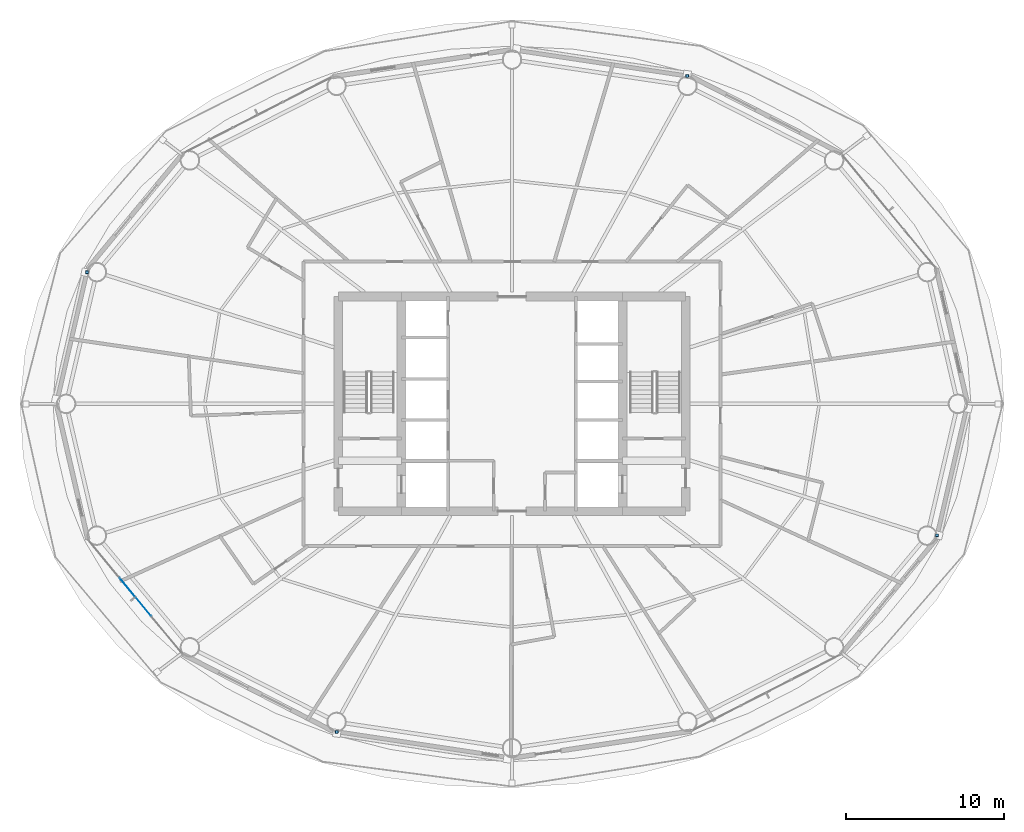
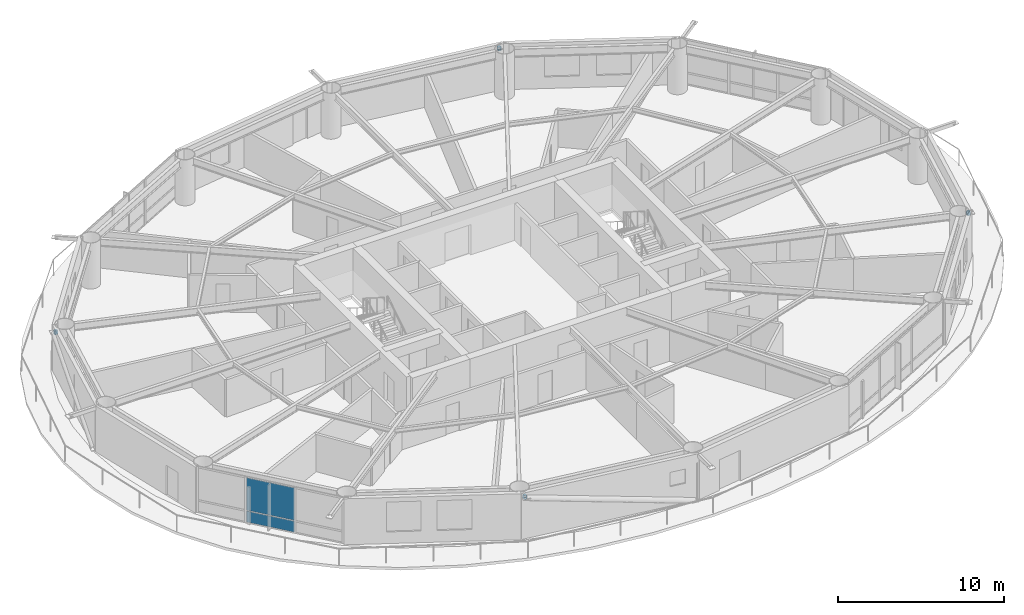
# One storey, part 13 of 24: 4 members, 2 plates, 1 element without a shape of its own.
"""IFC4 building model written with IfcOpenShell, lengths in metres."""

from ifc_helpers import new_model, si_unit, direction, frame, origin, origin_2d, place, context, subcontext, project, spatial, rectangle, hollow_rectangle, extrude, material, layer, layer_set, material_profile, profile_set, type_object, element, aggregate, save


model = new_model("IFC4")

# Units and contexts
model_context = context("Model", 3, precision=1e-05, world=origin(), true_north=direction((0.0, 1.0)))
body_context = subcontext(model_context, "Body", "Model", "MODEL_VIEW")
ifc_project = project(units=[si_unit("LENGTHUNIT", "METRE"), si_unit("AREAUNIT", "SQUARE_METRE"), si_unit("VOLUMEUNIT", "CUBIC_METRE"), si_unit("PLANEANGLEUNIT", "RADIAN"), si_unit("MASSUNIT", "GRAM", prefix="KILO")], contexts=[model_context])

# Site, building, storey
site_placement = place(None, origin())
site = spatial("IfcSite", under=ifc_project, at=site_placement, CompositionType="ELEMENT")
building_placement = place(site_placement, origin())
building = spatial("IfcBuilding", under=site, at=building_placement, Name="Sarneth Arch Tower", CompositionType="ELEMENT")
storey_placement = place(building_placement, frame((0.0, 0.0, 116.39990234375)))
storey = spatial("IfcBuildingStorey", under=building, at=storey_placement, Name="L29", CompositionType="ELEMENT", Elevation=116.39990234375)

# Members
ifc_material_1 = material(Name="Steel S355", Category="steel")
ifc_material_profile = material_profile(ifc_material_1, hollow_rectangle(XDim=0.199951171875, YDim=0.300048828125, WallThickness=0.012451171875, InnerFilletRadius=0.018798828125, OuterFilletRadius=0.03125, at=origin_2d()), Name="RHS300x200x12.5")
ifc_profile_set = profile_set([ifc_material_profile], Name="Steel S355")
member_type = type_object("IfcMemberType", Name="MEM-CANT-STRUT", PredefinedType="STRUT", material=ifc_profile_set)
member_1_placement = place(storey_placement, frame((59.09716796875, 62.680419921875, 3.012939453125), z_axis=(-0.024515790152, 0.999699442849, 0.0), x_axis=(-0.999699442849, -0.024515790152, 0.0)))
element("IfcMember", 1, at=member_1_placement, inside=storey, type_object=member_type, Name="L29 Exoskeleton brace node strut 04B", PredefinedType="STRUT", context=body_context, shape_type="SweptSolid", body=[
    extrude(hollow_rectangle(XDim=0.199951171875, YDim=0.300048828125, WallThickness=0.012451171875, InnerFilletRadius=0.018798828125, OuterFilletRadius=0.03125, at=origin_2d()), origin(), (0.0, 0.0, 1.0), 0.17919921875),
])
member_2_placement = place(storey_placement, frame((21.1689453125, 50.3330078125, 3.012939453125), z_axis=(-0.999835606602, -0.018131733798, 0.0), x_axis=(0.018131733798, -0.999835606602, 0.0)))
element("IfcMember", 2, at=member_2_placement, inside=storey, type_object=member_type, Name="L29 Exoskeleton brace node strut 08B", PredefinedType="STRUT", context=body_context, shape_type="SweptSolid", body=[
    extrude(hollow_rectangle(XDim=0.199951171875, YDim=0.300048828125, WallThickness=0.012451171875, InnerFilletRadius=0.018798828125, OuterFilletRadius=0.03125, at=origin_2d()), origin(), (0.0, 0.0, 1.0), 0.1884765625),
])
member_3_placement = place(storey_placement, frame((36.90283203125, 21.319580078125, 3.012939453125), z_axis=(0.024515790152, -0.999699442849, 0.0), x_axis=(0.999699442849, 0.024515790152, 0.0)))
element("IfcMember", 3, at=member_3_placement, inside=storey, type_object=member_type, Name="L29 Exoskeleton brace node strut 12B", PredefinedType="STRUT", context=body_context, shape_type="SweptSolid", body=[
    extrude(hollow_rectangle(XDim=0.199951171875, YDim=0.300048828125, WallThickness=0.012451171875, InnerFilletRadius=0.018798828125, OuterFilletRadius=0.03125, at=origin_2d()), origin(), (0.0, 0.0, 1.0), 0.17919921875),
])
member_4_placement = place(storey_placement, frame((74.8310546875, 33.6669921875, 3.012939453125), z_axis=(0.999835606602, 0.018131733798, 0.0), x_axis=(-0.018131733798, 0.999835606602, 0.0)))
element("IfcMember", 4, at=member_4_placement, inside=storey, type_object=member_type, Name="L29 Exoskeleton brace node strut 16B", PredefinedType="STRUT", context=body_context, shape_type="SweptSolid", body=[
    extrude(hollow_rectangle(XDim=0.199951171875, YDim=0.300048828125, WallThickness=0.012451171875, InnerFilletRadius=0.018798828125, OuterFilletRadius=0.03125, at=origin_2d()), origin(), (0.0, 0.0, 1.0), 0.1884765625),
])

# Curtain wall, plates
ifc_material_2 = material(Name="Anodised aluminium Type AA25 and solar-control low-e laminated IGU", Category="aluminium")
ifc_layer_1 = layer(ifc_material_2, 0.159912109375)
ifc_layer_set_1 = layer_set([ifc_layer_1], Name="Anodised aluminium Type AA25 and solar-control low-e laminated IGU")
curtain_wall_type = type_object("IfcCurtainWallType", Name="CW-HOTEL-MID", PredefinedType="NOTDEFINED", material=ifc_layer_set_1)
curtain_wall_placement = place(storey_placement, origin())
curtain_wall = element("IfcCurtainWall", 5, at=curtain_wall_placement, inside=storey, type_object=curtain_wall_type, Name="L29 Unitised curtain wall facet 10", PredefinedType="NOTDEFINED")
ifc_material_3 = material(Name="Solar-control low-e laminated IGU", Category="glass")
ifc_layer_2 = layer(ifc_material_3, 0.028076171875)
ifc_layer_set_2 = layer_set([ifc_layer_2], Name="Solar-control low-e laminated IGU")
plate_type = type_object("IfcPlateType", Name="CW-PANEL", PredefinedType="CURTAIN_PANEL", material=ifc_layer_set_2)
plate_1_placement = place(storey_placement, frame((24.1494140625, 29.778076171875, 0.06005859375), z_axis=(0.0, 0.0, 1.0), x_axis=(0.637515188684, -0.770437787363, 0.0)))
plate_1 = element("IfcPlate", 6, at=plate_1_placement, type_object=plate_type, Name="Curtain wall glazed vision pane CW-L29-F10/P01-00", PredefinedType="CURTAIN_PANEL", context=body_context, shape_type="SweptSolid", body=[
    extrude(rectangle(XDim=3.08837890625, YDim=0.028076171875, at=origin_2d()), origin(), (0.0, 0.0, 1.0), 0.81005859375),
])
plate_2_placement = place(storey_placement, frame((24.1494140625, 29.778076171875, 0.93017578125), z_axis=(0.0, 0.0, 1.0), x_axis=(0.637515188684, -0.770437787363, 0.0)))
plate_2 = element("IfcPlate", 7, at=plate_2_placement, type_object=plate_type, Name="Curtain wall glazed vision pane CW-L29-F10/P01-01", PredefinedType="CURTAIN_PANEL", context=body_context, shape_type="SweptSolid", body=[
    extrude(rectangle(XDim=3.08837890625, YDim=0.028076171875, at=origin_2d()), origin(), (0.0, 0.0, 1.0), 2.389892578125),
])
aggregate(curtain_wall, [plate_1, plate_2])

save(model, "model.ifc")
